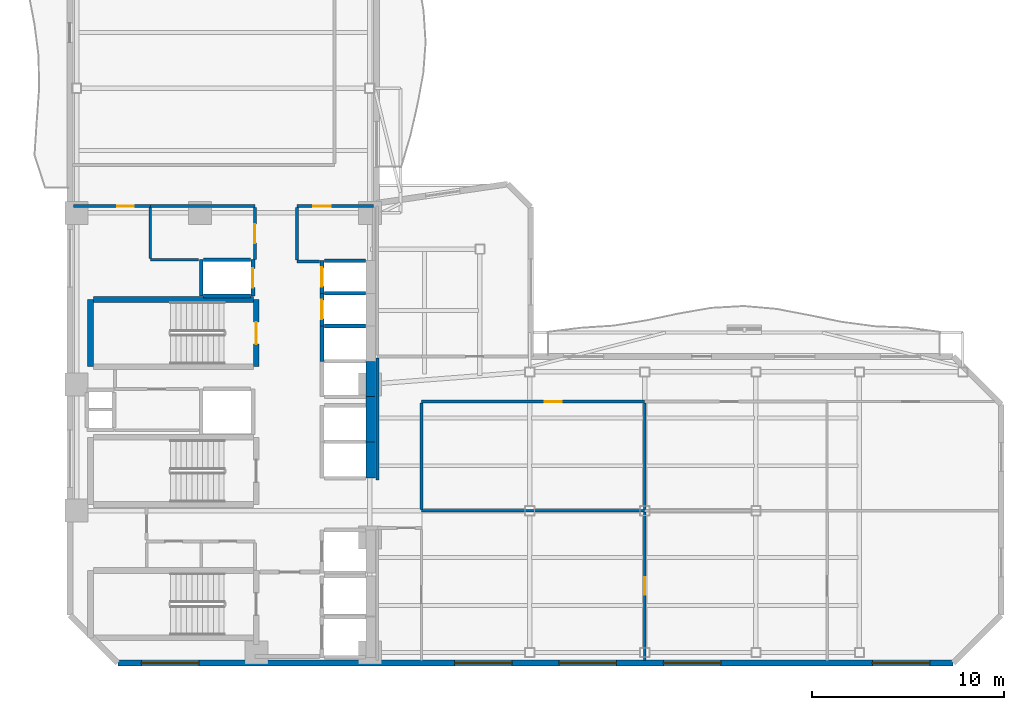
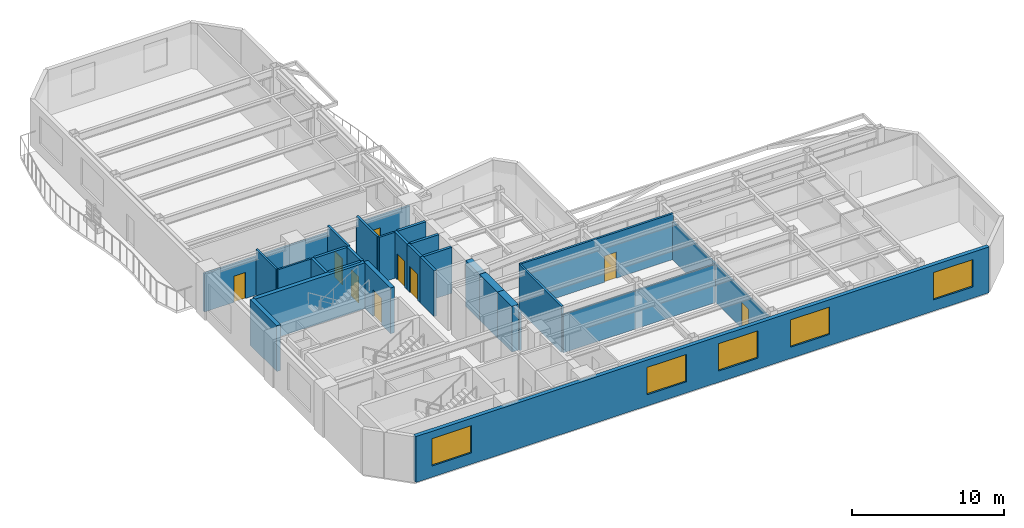
# One storey, part 4 of 9: 31 walls, 9 doors, 5 windows, 14 openings.
"""IFC4 building model written with IfcOpenShell, lengths in metres."""

import ifcopenshell
import ifcopenshell.guid

model = None  # the IFC model being written
_history = None  # IfcOwnerHistory: only IFC2X3 demands one
_inside = {}  # id of a spatial element -> (the spatial element, [elements in it])
_under = {}  # id of a project, library or spatial element -> (it, [spatial elements below it])
_declared = {}  # id of a project -> (the project, [libraries it declares])
_typed = {}  # id of a type object -> (the type object, [elements of that type])
_made_of = {}  # id of a material, layer set ... -> (it, [elements and type objects made of it])


def new_model(schema):
    """Start an empty IFC model of exactly this schema.

    Asked for "IFC4X3", IfcOpenShell would pick the latest addendum, in which some entities
    have other attributes; the version numbers below select the first issue.
    IFC2X3 requires an IfcOwnerHistory on every rooted entity: one is made here for all.
    """
    global model, _history
    if schema == "IFC4X3":
        model = ifcopenshell.file(schema_version=(4, 3, 0, 0))
    else:
        model = ifcopenshell.file(schema=schema)
    _inside.clear()
    _under.clear()
    _declared.clear()
    _typed.clear()
    _made_of.clear()
    _history = None
    if model.schema == "IFC2X3":
        org = make("IfcOrganization", Name="unknown")
        user = make(
            "IfcPersonAndOrganization",
            ThePerson=make("IfcPerson", FamilyName="unknown"),
            TheOrganization=org,
        )
        app = make(
            "IfcApplication",
            ApplicationDeveloper=org,
            Version="unknown",
            ApplicationFullName="unknown",
            ApplicationIdentifier="unknown",
        )
        _history = make(
            "IfcOwnerHistory",
            OwningUser=user,
            OwningApplication=app,
            ChangeAction="ADDED",
            CreationDate=0,
        )
    return model


def make(cls, **values):
    """One entity of the class cls with the attributes given. An attribute that is None is left unset."""
    return model.create_entity(
        cls, **{name: value for name, value in values.items() if value is not None}
    )


def rooted(cls, **values):
    """An entity with a GlobalId (a new one), such as an element, a storey or a relation."""
    return make(cls, GlobalId=ifcopenshell.guid.new(), OwnerHistory=_history, **values)


def si_unit(unit_type, name, prefix=None):
    """IfcSIUnit, for example si_unit("LENGTHUNIT", "METRE", prefix="MILLI")."""
    return make("IfcSIUnit", UnitType=unit_type, Prefix=prefix, Name=name)


def assignment(units):
    """IfcUnitAssignment: the units of a project."""
    return None if units is None else make("IfcUnitAssignment", Units=units)


def point(xyz):
    """IfcCartesianPoint."""
    return None if xyz is None else make("IfcCartesianPoint", Coordinates=xyz)


def direction(xyz):
    """IfcDirection."""
    return None if xyz is None else make("IfcDirection", DirectionRatios=xyz)


def frame(location, z_axis=None, x_axis=None):
    """IfcAxis2Placement3D, a coordinate frame: its origin and axes. An axis left out is left unset."""
    return make(
        "IfcAxis2Placement3D",
        Location=point(location),
        Axis=direction(z_axis),
        RefDirection=direction(x_axis),
    )


def frame_2d(location, x_axis=None):
    """IfcAxis2Placement2D, a coordinate frame in the plane: its origin and x axis."""
    return make(
        "IfcAxis2Placement2D", Location=point(location), RefDirection=direction(x_axis)
    )


def origin():
    """The frame at (0, 0, 0) with its axes left unset."""
    return frame((0.0, 0.0, 0.0))


def place(relative_to, where):
    """IfcLocalPlacement: puts the frame where relative to a parent placement (None: the world)."""
    return make(
        "IfcLocalPlacement", PlacementRelTo=relative_to, RelativePlacement=where
    )


def context(
    kind, dimensions, precision=None, world=None, true_north=None, identifier=None
):
    """IfcGeometricRepresentationContext, for example the 3D "Model" context."""
    return make(
        "IfcGeometricRepresentationContext",
        ContextIdentifier=identifier,
        ContextType=kind,
        CoordinateSpaceDimension=dimensions,
        Precision=precision,
        WorldCoordinateSystem=world,
        TrueNorth=true_north,
    )


def subcontext(parent, identifier, kind, view, scale=None):
    """IfcGeometricRepresentationSubContext, for example "Body" below "Model"."""
    return make(
        "IfcGeometricRepresentationSubContext",
        ContextIdentifier=identifier,
        ContextType=kind,
        ParentContext=parent,
        TargetScale=scale,
        TargetView=view,
    )


def project(units=None, contexts=None):
    """IfcProject with its units and contexts."""
    return rooted(
        "IfcProject",
        Name="project",
        RepresentationContexts=contexts,
        UnitsInContext=assignment(units),
    )


def spatial(cls, under=None, at=None, **own):
    """A site, building, storey or space (cls), placed at a placement, below another one or the project."""
    s = rooted(cls, ObjectPlacement=at, **own)
    if under is not None:
        _under.setdefault(under.id(), (under, []))[1].append(s)
    return s


def profile(cls, at=None, kind="AREA", **sizes):
    """A parametric profile (cls). Its sizes go by their IFC names, for example OverallWidth=200.0."""
    return make(cls, ProfileType=kind, Position=at, **sizes)


def rectangle(**sizes):
    """IfcRectangleProfileDef."""
    return profile("IfcRectangleProfileDef", **sizes)


def extrude(swept, where, along, depth):
    """IfcExtrudedAreaSolid: the profile swept, set in the frame where, extruded along a direction by depth."""
    return make(
        "IfcExtrudedAreaSolid",
        SweptArea=swept,
        Position=where,
        ExtrudedDirection=direction(along),
        Depth=depth,
    )


def shape(context_of_items, identifier, shape_type, items):
    """IfcShapeRepresentation: the items that make up one representation, for example the "Body"."""
    return make(
        "IfcShapeRepresentation",
        ContextOfItems=context_of_items,
        RepresentationIdentifier=identifier,
        RepresentationType=shape_type,
        Items=items,
    )


def material(Name=None, Category=None):
    """IfcMaterial."""
    return make("IfcMaterial", Name=Name, Category=Category)


def layer(
    of_material, thickness, ventilated=None, Name=None, Category=None, Priority=None
):
    """IfcMaterialLayer: one layer of a wall or slab, of a material (None: an air gap)."""
    return make(
        "IfcMaterialLayer",
        Material=of_material,
        LayerThickness=thickness,
        IsVentilated=ventilated,
        Name=Name,
        Category=Category,
        Priority=Priority,
    )


def layer_set(layers, Name=None):
    """IfcMaterialLayerSet."""
    return make("IfcMaterialLayerSet", MaterialLayers=layers, LayerSetName=Name)


def made_of(thing, what):
    """Note that an element or type object is made of a material, layer set ...; save() writes the relation."""
    if what is not None:
        _made_of.setdefault(what.id(), (what, []))[1].append(thing)
    return thing


def type_object(cls, material=None, **own):
    """A type object (cls), such as IfcWallType, which elements share."""
    return made_of(rooted(cls, **own), material)


def element(
    cls,
    number,
    at=None,
    inside=None,
    cuts=None,
    type_object=None,
    material=None,
    context=None,
    identifier="Body",
    shape_type=None,
    held_by="IfcProductDefinitionShape",
    body=None,
    shapes=None,
    **own,
):
    """One element of the class cls, such as IfcWall. Its Tag is "e" and its number.

    at: its placement. inside: the storey or other place that contains it. cuts: it is an
    opening in that element (IfcRelVoidsElement). A single representation is given by context,
    identifier, shape_type and body (its items); several are given by shapes. held_by: the class
    of the entity that holds the representations. save() writes the other relations.
    """
    e = rooted(cls, Tag="e%d" % number, ObjectPlacement=at, **own)
    if body is not None:
        shapes = [shape(context, identifier, shape_type, body)]
    if shapes is not None:
        e.Representation = make(held_by, Representations=shapes)
    if inside is not None:
        _inside.setdefault(inside.id(), (inside, []))[1].append(e)
    if cuts is not None:
        rooted(
            "IfcRelVoidsElement", RelatingBuildingElement=cuts, RelatedOpeningElement=e
        )
    if type_object is not None:
        _typed.setdefault(type_object.id(), (type_object, []))[1].append(e)
    return made_of(e, material)


def fill(opening, filler):
    """IfcRelFillsElement: the door or window that sits in an opening."""
    return rooted(
        "IfcRelFillsElement",
        RelatingOpeningElement=opening,
        RelatedBuildingElement=filler,
    )


def aggregate(whole, parts):
    """IfcRelAggregates: a whole, such as a stair, and the parts it consists of."""
    return rooted("IfcRelAggregates", RelatingObject=whole, RelatedObjects=parts)


def save(model, path):
    """Write the relations noted so far, then the file.

    IfcRelAggregates (storeys below a building ...), IfcRelContainedInSpatialStructure (elements
    in a storey), IfcRelDefinesByType, IfcRelAssociatesMaterial and IfcRelDeclares: one each for
    every whole, place, type object, material and project.
    """
    for whole, parts in _under.values():
        aggregate(whole, parts)
    for where, things in _inside.values():
        rooted(
            "IfcRelContainedInSpatialStructure",
            RelatedElements=things,
            RelatingStructure=where,
        )
    for kind, things in _typed.values():
        rooted("IfcRelDefinesByType", RelatedObjects=things, RelatingType=kind)
    for what, things in _made_of.values():
        rooted("IfcRelAssociatesMaterial", RelatedObjects=things, RelatingMaterial=what)
    for by, libraries in _declared.values():
        rooted("IfcRelDeclares", RelatingContext=by, RelatedDefinitions=libraries)
    model.write(path)


model = new_model("IFC4")

# Units and contexts
model_context = context("Model", 3, precision=1e-05, world=origin(), true_north=direction((0.0, 1.0)))
body_context = subcontext(model_context, "Body", "Model", "MODEL_VIEW")
ifc_project = project(units=[si_unit("LENGTHUNIT", "METRE"), si_unit("AREAUNIT", "SQUARE_METRE"), si_unit("VOLUMEUNIT", "CUBIC_METRE"), si_unit("PLANEANGLEUNIT", "RADIAN"), si_unit("MASSUNIT", "GRAM", prefix="KILO")], contexts=[model_context])

# Site, building, storey
site_placement = place(None, origin())
site = spatial("IfcSite", under=ifc_project, at=site_placement, CompositionType="ELEMENT")
building_placement = place(site_placement, origin())
building = spatial("IfcBuilding", under=site, at=building_placement, Name="Mawjaban Terraces University", CompositionType="ELEMENT")
storey_placement = place(building_placement, frame((0.0, 0.0, 146.300048828125)))
storey = spatial("IfcBuildingStorey", under=building, at=storey_placement, Name="L35", CompositionType="ELEMENT", Elevation=146.300048828125)

# Walls
ifc_material_1 = material(Name="Concrete C60/75", Category="concrete")
ifc_layer_1 = layer(ifc_material_1, 0.5)
ifc_layer_set_1 = layer_set([ifc_layer_1], Name="Concrete C60/75")
wall_type_1 = type_object("IfcWallType", Name="CoreShearWall_500", PredefinedType="SHEAR", material=ifc_layer_set_1)
wall_1_placement = place(storey_placement, frame((37.699951171875, 9.64990234375, 0.0), z_axis=(0.0, 0.0, 1.0), x_axis=(0.0, 1.0, 0.0)))
element("IfcWall", 1, at=wall_1_placement, inside=storey, type_object=wall_type_1, Name="L35 Lift PL-H1 Hoistway Wall East", PredefinedType="SHEAR", context=body_context, shape_type="SweptSolid", body=[
    extrude(rectangle(XDim=1.900146484375, YDim=0.5, at=frame_2d((0.9501953125, 0.0))), origin(), (0.0, 0.0, 1.0), 3.68994140625),
])
wall_2_placement = place(storey_placement, frame((37.699951171875, 11.550048828125, 0.0), z_axis=(0.0, 0.0, 1.0), x_axis=(0.0, 1.0, 0.0)))
element("IfcWall", 2, at=wall_2_placement, inside=storey, type_object=wall_type_1, Name="L35 Lift PL-H2 Hoistway Wall East", PredefinedType="SHEAR", context=body_context, shape_type="SweptSolid", body=[
    extrude(rectangle(XDim=2.349853515625, YDim=0.5, at=frame_2d((1.1748046875, 0.0))), origin(), (0.0, 0.0, 1.0), 3.68994140625),
])
wall_3_placement = place(storey_placement, frame((37.699951171875, 13.89990234375, 0.0), z_axis=(0.0, 0.0, 1.0), x_axis=(0.0, 1.0, 0.0)))
element("IfcWall", 3, at=wall_3_placement, inside=storey, type_object=wall_type_1, Name="L35 Lift OL-1 Hoistway Wall East", PredefinedType="SHEAR", context=body_context, shape_type="SweptSolid", body=[
    extrude(rectangle(XDim=1.85009765625, YDim=0.5, at=frame_2d((0.925048828125, 0.0))), origin(), (0.0, 0.0, 1.0), 3.68994140625),
])

# Wall, opening, door
ifc_material_2 = material(Name="Fire-rated gypsum board on steel stud", Category="steel")
ifc_layer_2 = layer(ifc_material_2, 0.159912109375)
ifc_layer_set_2 = layer_set([ifc_layer_2], Name="Fire-rated gypsum board on steel stud")
wall_type_2 = type_object("IfcWallType", Name="CorridorPartition_160", PredefinedType="PARTITIONING", material=ifc_layer_set_2)
wall_4_placement = place(storey_placement, frame((26.199951171875, 23.85009765625, 0.0), z_axis=(0.0, 0.0, 1.0), x_axis=(-1.0, 0.0, 0.0)))
wall_4 = element("IfcWall", 4, at=wall_4_placement, inside=storey, type_object=wall_type_2, Name="L35 Female Toilet Partition 5", PredefinedType="PARTITIONING", context=body_context, shape_type="SweptSolid", body=[
    extrude(rectangle(XDim=4.0, YDim=0.159912109375, at=frame_2d((2.0, 0.0))), origin(), (0.0, 0.0, 1.0), 3.072998046875),
])
opening_1_placement = place(wall_4_placement, frame((0.860107421875, 0.0, 0.0)))
opening_1 = element("IfcOpeningElement", 5, at=opening_1_placement, cuts=wall_4, Name="Opening ID-088", PredefinedType="OPENING", context=body_context, shape_type="SweptSolid", body=[
    extrude(rectangle(XDim=0.8798828125, YDim=2.10009765625, at=frame_2d((0.43994140625, 1.050048828125))), frame((0.0, 0.08984375, 0.0), z_axis=(0.0, -1.0, 0.0), x_axis=(1.0, 0.0, 0.0)), (0.0, 0.0, 1.0), 0.179931640625),
])
ifc_material_3 = material(Name="Powder-coated steel frame and solid acoustic timber leaf", Category="steel")
door_type_1 = type_object("IfcDoorType", Name="ToiletDoor_880x2100", OperationType="NOTDEFINED", PredefinedType="DOOR", material=ifc_material_3)
door_1_placement = place(opening_1_placement, origin())
door_1 = element("IfcDoor", 6, at=door_1_placement, inside=storey, type_object=door_type_1, Name="L35 Female Toilet Door", OperationType="SINGLE_SWING_LEFT", OverallHeight=2.10009765625, OverallWidth=0.8798828125, PredefinedType="DOOR", context=body_context, shape_type="SweptSolid", body=[
    extrude(rectangle(XDim=0.8798828125, YDim=2.10009765625, at=frame_2d((0.43994140625, 1.050048828125))), frame((0.0, 0.02490234375, 0.0), z_axis=(0.0, -1.0, 0.0), x_axis=(1.0, 0.0, 0.0)), (0.0, 0.0, 1.0), 0.050048828125),
])
fill(opening_1, door_1)

# Walls
wall_5_placement = place(storey_placement, frame((31.64990234375, 23.85009765625, 0.0), z_axis=(0.0, 0.0, 1.0), x_axis=(-1.0, 0.0, 0.0)))
element("IfcWall", 7, at=wall_5_placement, inside=storey, type_object=wall_type_2, Name="L35 Academic Tutorial Alcove Partition 8", PredefinedType="PARTITIONING", context=body_context, shape_type="SweptSolid", body=[
    extrude(rectangle(XDim=5.449951171875, YDim=0.159912109375, at=frame_2d((2.72509765625, 0.0))), origin(), (0.0, 0.0, 1.0), 3.072998046875),
])
wall_6_placement = place(storey_placement, frame((35.02001953125, 20.949951171875, 0.0), z_axis=(0.0, 0.0, 1.0), x_axis=(-1.0, 0.0, 0.0)))
element("IfcWall", 8, at=wall_6_placement, inside=storey, type_object=wall_type_2, Name="L35 Passenger Lift Lobby Partition 10", PredefinedType="PARTITIONING", context=body_context, shape_type="SweptSolid", body=[
    extrude(rectangle(XDim=1.169921875, YDim=0.159912109375, at=frame_2d((0.5849609375, 0.0))), origin(), (0.0, 0.0, 1.0), 3.68994140625),
])

# Wall, opening, door
wall_7_placement = place(storey_placement, frame((37.85009765625, 23.85009765625, 0.0), z_axis=(0.0, 0.0, 1.0), x_axis=(-1.0, 0.0, 0.0)))
wall_7 = element("IfcWall", 9, at=wall_7_placement, inside=storey, type_object=wall_type_2, Name="L35 Departmental Resource Seminar Room Partition 12", PredefinedType="PARTITIONING", context=body_context, shape_type="SweptSolid", body=[
    extrude(rectangle(XDim=4.0, YDim=0.159912109375, at=frame_2d((2.0, 0.0))), origin(), (0.0, 0.0, 1.0), 3.072998046875),
])
opening_2_placement = place(wall_7_placement, frame((2.25, 0.0, 0.0)))
opening_2 = element("IfcOpeningElement", 10, at=opening_2_placement, cuts=wall_7, Name="Opening ID-090", PredefinedType="OPENING", context=body_context, shape_type="SweptSolid", body=[
    extrude(rectangle(XDim=0.89990234375, YDim=2.10009765625, at=frame_2d((0.449951171875, 1.050048828125))), frame((0.0, 0.08984375, 0.0), z_axis=(0.0, -1.0, 0.0), x_axis=(1.0, 0.0, 0.0)), (0.0, 0.0, 1.0), 0.179931640625),
])
door_type_2 = type_object("IfcDoorType", Name="OfficeDoor_900x2100", OperationType="NOTDEFINED", PredefinedType="DOOR", material=ifc_material_3)
door_2_placement = place(opening_2_placement, origin())
door_2 = element("IfcDoor", 11, at=door_2_placement, inside=storey, type_object=door_type_2, Name="L35 Departmental Resource Seminar Room Door", OperationType="SINGLE_SWING_LEFT", OverallHeight=2.10009765625, OverallWidth=0.89990234375, PredefinedType="DOOR", context=body_context, shape_type="SweptSolid", body=[
    extrude(rectangle(XDim=0.89990234375, YDim=2.10009765625, at=frame_2d((0.449951171875, 1.050048828125))), frame((0.0, 0.02490234375, 0.0), z_axis=(0.0, -1.0, 0.0), x_axis=(1.0, 0.0, 0.0)), (0.0, 0.0, 1.0), 0.050048828125),
])
fill(opening_2, door_2)

wall_8_placement = place(storey_placement, frame((40.35009765625, 13.64990234375, 0.0), z_axis=(0.0, 0.0, 1.0), x_axis=(1.0, 0.0, 0.0)))
wall_8 = element("IfcWall", 12, at=wall_8_placement, inside=storey, type_object=wall_type_2, Name="L35 Inner Terrace Gallery Corridor East Partition 14", PredefinedType="PARTITIONING", context=body_context, shape_type="SweptSolid", body=[
    extrude(rectangle(XDim=11.64990234375, YDim=0.159912109375, at=frame_2d((5.824951171875, 0.0))), origin(), (0.0, 0.0, 1.0), 3.68994140625),
])
opening_3_placement = place(wall_8_placement, frame((6.425048828125, 0.0, 0.0)))
opening_3 = element("IfcOpeningElement", 13, at=opening_3_placement, cuts=wall_8, Name="Opening ID-090", PredefinedType="OPENING", context=body_context, shape_type="SweptSolid", body=[
    extrude(rectangle(XDim=0.89990234375, YDim=2.10009765625, at=frame_2d((0.449951171875, 1.050048828125))), frame((0.0, 0.08984375, 0.0), z_axis=(0.0, -1.0, 0.0), x_axis=(1.0, 0.0, 0.0)), (0.0, 0.0, 1.0), 0.179931640625),
])
door_3_placement = place(opening_3_placement, origin())
door_3 = element("IfcDoor", 14, at=door_3_placement, inside=storey, type_object=door_type_2, Name="L35 Collaborative Study Room 3 Door", OperationType="SINGLE_SWING_RIGHT", OverallHeight=2.10009765625, OverallWidth=0.89990234375, PredefinedType="DOOR", context=body_context, shape_type="SweptSolid", body=[
    extrude(rectangle(XDim=0.89990234375, YDim=2.10009765625, at=frame_2d((0.449951171875, 1.050048828125))), frame((0.0, 0.02490234375, 0.0), z_axis=(0.0, -1.0, 0.0), x_axis=(1.0, 0.0, 0.0)), (0.0, 0.0, 1.0), 0.050048828125),
])
fill(opening_3, door_3)

wall_9_placement = place(storey_placement, frame((31.64990234375, 23.77490234375, 0.0), z_axis=(0.0, 0.0, 1.0), x_axis=(0.0, -1.0, 0.0)))
wall_9 = element("IfcWall", 15, at=wall_9_placement, inside=storey, type_object=wall_type_2, Name="L35 Core North Lift Lobby Partition 28", PredefinedType="PARTITIONING", context=body_context, shape_type="SweptSolid", body=[
    extrude(rectangle(XDim=2.724853515625, YDim=0.159912109375, at=frame_2d((1.3623046875, 0.0))), origin(), (0.0, 0.0, 1.0), 3.68994140625),
])
opening_4_placement = place(wall_9_placement, frame((0.862060546875, 0.0, 0.0)))
opening_4 = element("IfcOpeningElement", 16, at=opening_4_placement, cuts=wall_9, Name="Opening ID-100", PredefinedType="OPENING", context=body_context, shape_type="SweptSolid", body=[
    extrude(rectangle(XDim=1.0, YDim=2.10009765625, at=frame_2d((0.5, 1.050048828125))), frame((0.0, 0.08984375, 0.0), z_axis=(0.0, -1.0, 0.0), x_axis=(1.0, 0.0, 0.0)), (0.0, 0.0, 1.0), 0.179931640625),
])
door_type_3 = type_object("IfcDoorType", Name="ClassroomDoor_1000x2100", OperationType="NOTDEFINED", PredefinedType="DOOR", material=ifc_material_3)
door_4_placement = place(opening_4_placement, origin())
door_4 = element("IfcDoor", 17, at=door_4_placement, inside=storey, type_object=door_type_3, Name="L35 Academic Tutorial Alcove Door", OperationType="SINGLE_SWING_RIGHT", OverallHeight=2.10009765625, OverallWidth=1.0, PredefinedType="DOOR", context=body_context, shape_type="SweptSolid", body=[
    extrude(rectangle(XDim=1.0, YDim=2.10009765625, at=frame_2d((0.5, 1.050048828125))), frame((0.0, 0.02490234375, 0.0), z_axis=(0.0, -1.0, 0.0), x_axis=(1.0, 0.0, 0.0)), (0.0, 0.0, 1.0), 0.050048828125),
])
fill(opening_4, door_4)

# Walls
wall_10_placement = place(storey_placement, frame((33.85009765625, 21.02490234375, 0.0), z_axis=(0.0, 0.0, 1.0), x_axis=(0.0, 1.0, 0.0)))
element("IfcWall", 18, at=wall_10_placement, inside=storey, type_object=wall_type_2, Name="L35 Core North Lift Lobby Partition 29", PredefinedType="PARTITIONING", context=body_context, shape_type="SweptSolid", body=[
    extrude(rectangle(XDim=2.75, YDim=0.159912109375, at=frame_2d((1.375, 0.0))), origin(), (0.0, 0.0, 1.0), 3.68994140625),
])
wall_11_placement = place(storey_placement, frame((38.050048828125, 15.925048828125, 0.0), z_axis=(0.0, 0.0, 1.0), x_axis=(0.0, -1.0, 0.0)))
element("IfcWall", 19, at=wall_11_placement, inside=storey, type_object=wall_type_2, Name="L35 Inner Gallery Link Corridor Partition 33", PredefinedType="PARTITIONING", context=body_context, shape_type="SweptSolid", body=[
    extrude(rectangle(XDim=6.375, YDim=0.159912109375, at=frame_2d((3.1875, 0.0))), origin(), (0.0, 0.0, 1.0), 3.072998046875),
])
wall_12_placement = place(storey_placement, frame((40.35009765625, 8.008056640625, 0.0), z_axis=(0.0, 0.0, 1.0), x_axis=(0.0, 1.0, 0.0)))
element("IfcWall", 20, at=wall_12_placement, inside=storey, type_object=wall_type_2, Name="L35 Inner Gallery Link Corridor Partition 36", PredefinedType="PARTITIONING", context=body_context, shape_type="SweptSolid", body=[
    extrude(rectangle(XDim=5.56689453125, YDim=0.159912109375, at=frame_2d((2.783447265625, 0.0))), origin(), (0.0, 0.0, 1.0), 3.68994140625),
])

# Wall, openings, windows
ifc_material_4 = material(Name="Insulated terracotta rainscreen on concrete backup C40/50", Category="masonry")
ifc_layer_3 = layer(ifc_material_4, 0.300048828125)
ifc_layer_set_3 = layer_set([ifc_layer_3], Name="Insulated terracotta rainscreen on concrete backup C40/50")
wall_type_3 = type_object("IfcWallType", Name="ExtTerracottaWall_300", PredefinedType="SOLIDWALL", material=ifc_layer_set_3)
wall_13_placement = place(storey_placement, frame((24.5, 0.0, 0.0), z_axis=(0.0, 0.0, 1.0), x_axis=(1.0, 0.0, 0.0)))
wall_13 = element("IfcWall", 21, at=wall_13_placement, inside=storey, type_object=wall_type_3, Name="L35 Exterior Terracotta Wall 1", PredefinedType="SOLIDWALL", context=body_context, shape_type="SweptSolid", body=[
    extrude(rectangle(XDim=43.60009765625, YDim=0.300048828125, at=frame_2d((21.800048828125, 0.0))), origin(), (0.0, 0.0, 1.0), 3.68994140625),
])
opening_5_placement = place(wall_13_placement, frame((1.22509765625, 0.0, 0.89990234375)))
opening_5 = element("IfcOpeningElement", 22, at=opening_5_placement, cuts=wall_13, Name="Opening W-12", PredefinedType="OPENING", context=body_context, shape_type="SweptSolid", body=[
    extrude(rectangle(XDim=3.0, YDim=2.199951171875, at=frame_2d((1.5, 1.10009765625))), frame((0.0, 0.159912109375, 0.0), z_axis=(0.0, -1.0, 0.0), x_axis=(1.0, 0.0, 0.0)), (0.0, 0.0, 1.0), 0.320068359375),
])
opening_6_placement = place(wall_13_placement, frame((17.574951171875, 0.0, 0.89990234375)))
opening_6 = element("IfcOpeningElement", 23, at=opening_6_placement, cuts=wall_13, Name="Opening W-12", PredefinedType="OPENING", context=body_context, shape_type="SweptSolid", body=[
    extrude(rectangle(XDim=3.0, YDim=2.199951171875, at=frame_2d((1.5, 1.10009765625))), frame((0.0, 0.159912109375, 0.0), z_axis=(0.0, -1.0, 0.0), x_axis=(1.0, 0.0, 0.0)), (0.0, 0.0, 1.0), 0.320068359375),
])
opening_7_placement = place(wall_13_placement, frame((23.02490234375, 0.0, 0.89990234375)))
opening_7 = element("IfcOpeningElement", 24, at=opening_7_placement, cuts=wall_13, Name="Opening W-12", PredefinedType="OPENING", context=body_context, shape_type="SweptSolid", body=[
    extrude(rectangle(XDim=3.0, YDim=2.199951171875, at=frame_2d((1.5, 1.10009765625))), frame((0.0, 0.159912109375, 0.0), z_axis=(0.0, -1.0, 0.0), x_axis=(1.0, 0.0, 0.0)), (0.0, 0.0, 1.0), 0.320068359375),
])
opening_8_placement = place(wall_13_placement, frame((28.47509765625, 0.0, 0.89990234375)))
opening_8 = element("IfcOpeningElement", 25, at=opening_8_placement, cuts=wall_13, Name="Opening W-12", PredefinedType="OPENING", context=body_context, shape_type="SweptSolid", body=[
    extrude(rectangle(XDim=3.0, YDim=2.199951171875, at=frame_2d((1.5, 1.10009765625))), frame((0.0, 0.159912109375, 0.0), z_axis=(0.0, -1.0, 0.0), x_axis=(1.0, 0.0, 0.0)), (0.0, 0.0, 1.0), 0.320068359375),
])
opening_9_placement = place(wall_13_placement, frame((39.375, 0.0, 0.89990234375)))
opening_9 = element("IfcOpeningElement", 26, at=opening_9_placement, cuts=wall_13, Name="Opening W-12", PredefinedType="OPENING", context=body_context, shape_type="SweptSolid", body=[
    extrude(rectangle(XDim=3.0, YDim=2.199951171875, at=frame_2d((1.5, 1.10009765625))), frame((0.0, 0.159912109375, 0.0), z_axis=(0.0, -1.0, 0.0), x_axis=(1.0, 0.0, 0.0)), (0.0, 0.0, 1.0), 0.320068359375),
])
ifc_material_5 = material(Name="Low-E solar-control double glazing in thermally broken aluminium frame", Category="aluminium")
window_type = type_object("IfcWindowType", Name="Win_3000x2200", PartitioningType="SINGLE_PANEL", PredefinedType="WINDOW", material=ifc_material_5)
window_1_placement = place(opening_5_placement, origin())
window_1 = element("IfcWindow", 27, at=window_1_placement, inside=storey, type_object=window_type, Name="L35 Facade Window 1.1", OverallHeight=2.199951171875, OverallWidth=3.0, PartitioningType="SINGLE_PANEL", PredefinedType="WINDOW", context=body_context, shape_type="SweptSolid", body=[
    extrude(rectangle(XDim=3.0, YDim=2.199951171875, at=frame_2d((1.5, 1.10009765625))), frame((0.0, 0.030029296875, 0.0), z_axis=(0.0, -1.0, 0.0), x_axis=(1.0, 0.0, 0.0)), (0.0, 0.0, 1.0), 0.06005859375),
])
fill(opening_5, window_1)
window_2_placement = place(opening_6_placement, origin())
window_2 = element("IfcWindow", 28, at=window_2_placement, inside=storey, type_object=window_type, Name="L35 Facade Window 1.4", OverallHeight=2.199951171875, OverallWidth=3.0, PartitioningType="SINGLE_PANEL", PredefinedType="WINDOW", context=body_context, shape_type="SweptSolid", body=[
    extrude(rectangle(XDim=3.0, YDim=2.199951171875, at=frame_2d((1.5, 1.10009765625))), frame((0.0, 0.030029296875, 0.0), z_axis=(0.0, -1.0, 0.0), x_axis=(1.0, 0.0, 0.0)), (0.0, 0.0, 1.0), 0.06005859375),
])
fill(opening_6, window_2)
window_3_placement = place(opening_7_placement, origin())
window_3 = element("IfcWindow", 29, at=window_3_placement, inside=storey, type_object=window_type, Name="L35 Facade Window 1.5", OverallHeight=2.199951171875, OverallWidth=3.0, PartitioningType="SINGLE_PANEL", PredefinedType="WINDOW", context=body_context, shape_type="SweptSolid", body=[
    extrude(rectangle(XDim=3.0, YDim=2.199951171875, at=frame_2d((1.5, 1.10009765625))), frame((0.0, 0.030029296875, 0.0), z_axis=(0.0, -1.0, 0.0), x_axis=(1.0, 0.0, 0.0)), (0.0, 0.0, 1.0), 0.06005859375),
])
fill(opening_7, window_3)
window_4_placement = place(opening_8_placement, origin())
window_4 = element("IfcWindow", 30, at=window_4_placement, inside=storey, type_object=window_type, Name="L35 Facade Window 1.6", OverallHeight=2.199951171875, OverallWidth=3.0, PartitioningType="SINGLE_PANEL", PredefinedType="WINDOW", context=body_context, shape_type="SweptSolid", body=[
    extrude(rectangle(XDim=3.0, YDim=2.199951171875, at=frame_2d((1.5, 1.10009765625))), frame((0.0, 0.030029296875, 0.0), z_axis=(0.0, -1.0, 0.0), x_axis=(1.0, 0.0, 0.0)), (0.0, 0.0, 1.0), 0.06005859375),
])
fill(opening_8, window_4)
window_5_placement = place(opening_9_placement, origin())
window_5 = element("IfcWindow", 31, at=window_5_placement, inside=storey, type_object=window_type, Name="L35 Facade Window 1.8", OverallHeight=2.199951171875, OverallWidth=3.0, PartitioningType="SINGLE_PANEL", PredefinedType="WINDOW", context=body_context, shape_type="SweptSolid", body=[
    extrude(rectangle(XDim=3.0, YDim=2.199951171875, at=frame_2d((1.5, 1.10009765625))), frame((0.0, 0.030029296875, 0.0), z_axis=(0.0, -1.0, 0.0), x_axis=(1.0, 0.0, 0.0)), (0.0, 0.0, 1.0), 0.06005859375),
])
fill(opening_9, window_5)

# Walls
ifc_material_6 = material(Name="Concrete C40/50", Category="concrete")
ifc_layer_4 = layer(ifc_material_6, 0.199951171875)
ifc_layer_set_4 = layer_set([ifc_layer_4], Name="Concrete C40/50")
wall_type_4 = type_object("IfcWallType", Name="FireLobbyWall_200", PredefinedType="SOLIDWALL", material=ifc_layer_set_4)
wall_14_placement = place(storey_placement, frame((35.14990234375, 17.60009765625, 0.0), z_axis=(0.0, 0.0, 1.0), x_axis=(0.0, -1.0, 0.0)))
element("IfcWall", 32, at=wall_14_placement, inside=storey, type_object=wall_type_4, Name="L35 Lift OL-2 Hoistway Wall West", PredefinedType="SOLIDWALL", context=body_context, shape_type="SweptSolid", body=[
    extrude(rectangle(XDim=1.85009765625, YDim=0.199951171875, at=frame_2d((0.925048828125, 0.0))), origin(), (0.0, 0.0, 1.0), 3.68994140625),
])
wall_15_placement = place(storey_placement, frame((37.419921875, 17.60009765625, 0.0), z_axis=(0.0, 0.0, 1.0), x_axis=(-1.0, 0.0, 0.0)))
element("IfcWall", 33, at=wall_15_placement, inside=storey, type_object=wall_type_4, Name="L35 Lift OL-2 Hoistway Wall North", PredefinedType="SOLIDWALL", context=body_context, shape_type="SweptSolid", body=[
    extrude(rectangle(XDim=2.139892578125, YDim=0.199951171875, at=frame_2d((1.06982421875, 0.0))), origin(), (0.0, 0.0, 1.0), 3.68994140625),
])

# Wall, opening, door
wall_16_placement = place(storey_placement, frame((35.14990234375, 19.300048828125, 0.0), z_axis=(0.0, 0.0, 1.0), x_axis=(0.0, -1.0, 0.0)))
wall_16 = element("IfcWall", 34, at=wall_16_placement, inside=storey, type_object=wall_type_4, Name="L35 Lift PL-M1 Hoistway Wall West", PredefinedType="SOLIDWALL", context=body_context, shape_type="SweptSolid", body=[
    extrude(rectangle(XDim=1.699951171875, YDim=0.199951171875, at=frame_2d((0.85009765625, 0.0))), origin(), (0.0, 0.0, 1.0), 3.68994140625),
])
opening_10_placement = place(wall_16_placement, frame((0.35009765625, 0.0, 0.0)))
opening_10 = element("IfcOpeningElement", 35, at=opening_10_placement, cuts=wall_16, Name="Opening LD-PL-M1", PredefinedType="OPENING", context=body_context, shape_type="SweptSolid", body=[
    extrude(rectangle(XDim=1.0, YDim=2.10009765625, at=frame_2d((0.5, 1.050048828125))), frame((0.0, 0.10986328125, 0.0), z_axis=(0.0, -1.0, 0.0), x_axis=(1.0, 0.0, 0.0)), (0.0, 0.0, 1.0), 0.219970703125),
])
ifc_material_7 = material(Name="Powder-coated steel frame and fire-rated steel-faced leaf", Category="steel")
door_type_4 = type_object("IfcDoorType", Name="LiftLandingSliding_1000x2100", OperationType="NOTDEFINED", PredefinedType="DOOR", material=ifc_material_7)
door_5_placement = place(opening_10_placement, origin())
door_5 = element("IfcDoor", 36, at=door_5_placement, inside=storey, type_object=door_type_4, Name="L35 Lift PL-M1 Sliding Landing Door", OperationType="DOUBLE_DOOR_SLIDING", OverallHeight=2.10009765625, OverallWidth=1.0, PredefinedType="DOOR", context=body_context, shape_type="SweptSolid", body=[
    extrude(rectangle(XDim=1.0, YDim=2.10009765625, at=frame_2d((0.5, 1.050048828125))), frame((0.0, 0.02490234375, 0.0), z_axis=(0.0, -1.0, 0.0), x_axis=(1.0, 0.0, 0.0)), (0.0, 0.0, 1.0), 0.050048828125),
])
fill(opening_10, door_5)

# Wall
wall_17_placement = place(storey_placement, frame((37.419921875, 19.300048828125, 0.0), z_axis=(0.0, 0.0, 1.0), x_axis=(-1.0, 0.0, 0.0)))
element("IfcWall", 37, at=wall_17_placement, inside=storey, type_object=wall_type_4, Name="L35 Lift PL-M1 Hoistway Wall North", PredefinedType="SOLIDWALL", context=body_context, shape_type="SweptSolid", body=[
    extrude(rectangle(XDim=2.139892578125, YDim=0.199951171875, at=frame_2d((1.06982421875, 0.0))), origin(), (0.0, 0.0, 1.0), 3.68994140625),
])

# Wall, opening, door
wall_18_placement = place(storey_placement, frame((35.14990234375, 21.0, 0.0), z_axis=(0.0, 0.0, 1.0), x_axis=(0.0, -1.0, 0.0)))
wall_18 = element("IfcWall", 38, at=wall_18_placement, inside=storey, type_object=wall_type_4, Name="L35 Lift PL-M2 Hoistway Wall West", PredefinedType="SOLIDWALL", context=body_context, shape_type="SweptSolid", body=[
    extrude(rectangle(XDim=1.699951171875, YDim=0.199951171875, at=frame_2d((0.85009765625, 0.0))), origin(), (0.0, 0.0, 1.0), 3.68994140625),
])
opening_11_placement = place(wall_18_placement, frame((0.35009765625, 0.0, 0.0)))
opening_11 = element("IfcOpeningElement", 39, at=opening_11_placement, cuts=wall_18, Name="Opening LD-PL-M2", PredefinedType="OPENING", context=body_context, shape_type="SweptSolid", body=[
    extrude(rectangle(XDim=1.0, YDim=2.10009765625, at=frame_2d((0.5, 1.050048828125))), frame((0.0, 0.10986328125, 0.0), z_axis=(0.0, -1.0, 0.0), x_axis=(1.0, 0.0, 0.0)), (0.0, 0.0, 1.0), 0.219970703125),
])
door_6_placement = place(opening_11_placement, origin())
door_6 = element("IfcDoor", 40, at=door_6_placement, inside=storey, type_object=door_type_4, Name="L35 Lift PL-M2 Sliding Landing Door", OperationType="DOUBLE_DOOR_SLIDING", OverallHeight=2.10009765625, OverallWidth=1.0, PredefinedType="DOOR", context=body_context, shape_type="SweptSolid", body=[
    extrude(rectangle(XDim=1.0, YDim=2.10009765625, at=frame_2d((0.5, 1.050048828125))), frame((0.0, 0.02490234375, 0.0), z_axis=(0.0, -1.0, 0.0), x_axis=(1.0, 0.0, 0.0)), (0.0, 0.0, 1.0), 0.050048828125),
])
fill(opening_11, door_6)

# Walls
wall_19_placement = place(storey_placement, frame((37.419921875, 21.0, 0.0), z_axis=(0.0, 0.0, 1.0), x_axis=(-1.0, 0.0, 0.0)))
element("IfcWall", 41, at=wall_19_placement, inside=storey, type_object=wall_type_4, Name="L35 Lift PL-M2 Hoistway Wall North", PredefinedType="SOLIDWALL", context=body_context, shape_type="SweptSolid", body=[
    extrude(rectangle(XDim=2.139892578125, YDim=0.199951171875, at=frame_2d((1.06982421875, 0.0))), origin(), (0.0, 0.0, 1.0), 3.68994140625),
])
wall_20_placement = place(storey_placement, frame((28.85009765625, 21.050048828125, 0.0), z_axis=(0.0, 0.0, 1.0), x_axis=(0.0, -1.0, 0.0)))
element("IfcWall", 42, at=wall_20_placement, inside=storey, type_object=wall_type_4, Name="L35 Lift PL-M3 Hoistway Wall West", PredefinedType="SOLIDWALL", context=body_context, shape_type="SweptSolid", body=[
    extrude(rectangle(XDim=1.900146484375, YDim=0.199951171875, at=frame_2d((0.9501953125, 0.0))), origin(), (0.0, 0.0, 1.0), 3.68994140625),
])

# Wall, opening, door
wall_21_placement = place(storey_placement, frame((31.550048828125, 19.14990234375, 0.0), z_axis=(0.0, 0.0, 1.0), x_axis=(0.0, 1.0, 0.0)))
wall_21 = element("IfcWall", 43, at=wall_21_placement, inside=storey, type_object=wall_type_4, Name="L35 Lift PL-M3 Hoistway Wall East", PredefinedType="SOLIDWALL", context=body_context, shape_type="SweptSolid", body=[
    extrude(rectangle(XDim=1.900146484375, YDim=0.199951171875, at=frame_2d((0.9501953125, 0.0))), origin(), (0.0, 0.0, 1.0), 3.68994140625),
])
opening_12_placement = place(wall_21_placement, frame((0.449951171875, 0.0, 0.0)))
opening_12 = element("IfcOpeningElement", 44, at=opening_12_placement, cuts=wall_21, Name="Opening LD-PL-M3", PredefinedType="OPENING", context=body_context, shape_type="SweptSolid", body=[
    extrude(rectangle(XDim=1.0, YDim=2.10009765625, at=frame_2d((0.5, 1.050048828125))), frame((0.0, 0.10986328125, 0.0), z_axis=(0.0, -1.0, 0.0), x_axis=(1.0, 0.0, 0.0)), (0.0, 0.0, 1.0), 0.219970703125),
])
door_7_placement = place(opening_12_placement, origin())
door_7 = element("IfcDoor", 45, at=door_7_placement, inside=storey, type_object=door_type_4, Name="L35 Lift PL-M3 Sliding Landing Door", OperationType="DOUBLE_DOOR_SLIDING", OverallHeight=2.10009765625, OverallWidth=1.0, PredefinedType="DOOR", context=body_context, shape_type="SweptSolid", body=[
    extrude(rectangle(XDim=1.0, YDim=2.10009765625, at=frame_2d((0.5, 1.050048828125))), frame((0.0, 0.02490234375, 0.0), z_axis=(0.0, -1.0, 0.0), x_axis=(1.0, 0.0, 0.0)), (0.0, 0.0, 1.0), 0.050048828125),
])
fill(opening_12, door_7)

# Walls
for number, where, z_axis, x_axis, name in (
    (46, (28.97998046875, 19.14990234375, 0.0), (0.0, 0.0, 1.0), (1.0, 0.0, 0.0), "L35 Lift PL-M3 Hoistway Wall South"),
    (47, (31.419921875, 21.050048828125, 0.0), (0.0, 0.0, 1.0), (-1.0, 0.0, 0.0), "L35 Lift PL-M3 Hoistway Wall North"),
):
    element("IfcWall", number, at=place(storey_placement, frame(where, z_axis=z_axis, x_axis=x_axis)), inside=storey, type_object=wall_type_4, Name=name, PredefinedType="SOLIDWALL", context=body_context, shape_type="SweptSolid", body=[
        extrude(rectangle(XDim=2.43994140625, YDim=0.199951171875, at=frame_2d((1.219970703125, 0.0))), origin(), (0.0, 0.0, 1.0), 3.68994140625),
    ])
ifc_material_8 = material(Name="Gypsum plasterboard on steel stud", Category="steel")
ifc_layer_5 = layer(ifc_material_8, 0.125)
ifc_layer_set_5 = layer_set([ifc_layer_5], Name="Gypsum plasterboard on steel stud")
wall_type_5 = type_object("IfcWallType", Name="OfficePartition_125", PredefinedType="PARTITIONING", material=ifc_layer_set_5)
wall_22_placement = place(storey_placement, frame((52.0, 7.949951171875, 0.0), z_axis=(0.0, 0.0, 1.0), x_axis=(-1.0, 0.0, 0.0)))
element("IfcWall", 48, at=wall_22_placement, inside=storey, type_object=wall_type_5, Name="L35 Graduate Study Lounge 2 Partition 17", PredefinedType="PARTITIONING", context=body_context, shape_type="SweptSolid", body=[
    extrude(rectangle(XDim=11.64990234375, YDim=0.125, at=frame_2d((5.824951171875, 0.0))), origin(), (0.0, 0.0, 1.0), 3.072998046875),
])

# Wall, opening, door
wall_23_placement = place(storey_placement, frame((52.0, 0.14501953125, 0.0), z_axis=(0.0, 0.0, 1.0), x_axis=(0.0, 1.0, 0.0)))
wall_23 = element("IfcWall", 49, at=wall_23_placement, inside=storey, type_object=wall_type_5, Name="L35 Graduate Study Lounge 2 Partition 37", PredefinedType="PARTITIONING", context=body_context, shape_type="SweptSolid", body=[
    extrude(rectangle(XDim=7.748046875, YDim=0.125, at=frame_2d((3.8740234375, 0.0))), origin(), (0.0, 0.0, 1.0), 3.072998046875),
])
opening_13_placement = place(wall_23_placement, frame((3.424072265625, 0.0, 0.0)))
opening_13 = element("IfcOpeningElement", 50, at=opening_13_placement, cuts=wall_23, Name="Opening ID-090", PredefinedType="OPENING", context=body_context, shape_type="SweptSolid", body=[
    extrude(rectangle(XDim=0.89990234375, YDim=2.10009765625, at=frame_2d((0.449951171875, 1.050048828125))), frame((0.0, 0.072509765625, 0.0), z_axis=(0.0, -1.0, 0.0), x_axis=(1.0, 0.0, 0.0)), (0.0, 0.0, 1.0), 0.14501953125),
])
door_8_placement = place(opening_13_placement, origin())
door_8 = element("IfcDoor", 51, at=door_8_placement, inside=storey, type_object=door_type_2, Name="L35 Graduate Study Lounge 4 Door", OperationType="SINGLE_SWING_LEFT", OverallHeight=2.10009765625, OverallWidth=0.89990234375, PredefinedType="DOOR", context=body_context, shape_type="SweptSolid", body=[
    extrude(rectangle(XDim=0.89990234375, YDim=2.10009765625, at=frame_2d((0.449951171875, 1.050048828125))), frame((0.0, 0.02490234375, 0.0), z_axis=(0.0, -1.0, 0.0), x_axis=(1.0, 0.0, 0.0)), (0.0, 0.0, 1.0), 0.050048828125),
])
fill(opening_13, door_8)

# Walls
wall_24_placement = place(storey_placement, frame((52.0, 8.008056640625, 0.0), z_axis=(0.0, 0.0, 1.0), x_axis=(0.0, 1.0, 0.0)))
element("IfcWall", 52, at=wall_24_placement, inside=storey, type_object=wall_type_5, Name="L35 Collaborative Study Room 3 Partition 38", PredefinedType="PARTITIONING", context=body_context, shape_type="SweptSolid", body=[
    extrude(rectangle(XDim=5.56689453125, YDim=0.125, at=frame_2d((2.783447265625, 0.0))), origin(), (0.0, 0.0, 1.0), 3.072998046875),
])
ifc_layer_6 = layer(ifc_material_1, 0.300048828125)
ifc_layer_set_6 = layer_set([ifc_layer_6], Name="Concrete C60/75")
wall_type_6 = type_object("IfcWallType", Name="StairShaftWall_300", PredefinedType="SHEAR", material=ifc_layer_set_6)
wall_25_placement = place(storey_placement, frame((31.580078125, 18.97998046875, 0.0), z_axis=(0.0, 0.0, 1.0), x_axis=(-1.0, 0.0, 0.0)))
element("IfcWall", 53, at=wall_25_placement, inside=storey, type_object=wall_type_6, Name="L35 ST-2 Stair Shaft Wall 1", PredefinedType="SHEAR", context=body_context, shape_type="SweptSolid", body=[
    extrude(rectangle(XDim=8.360107421875, YDim=0.300048828125, at=frame_2d((4.18017578125, 0.0))), origin(), (0.0, 0.0, 1.0), 3.68994140625),
])
wall_26_placement = place(storey_placement, frame((23.070068359375, 18.97998046875, 0.0), z_axis=(0.0, 0.0, 1.0), x_axis=(0.0, -1.0, 0.0)))
element("IfcWall", 54, at=wall_26_placement, inside=storey, type_object=wall_type_6, Name="L35 ST-2 Stair Shaft Wall 2", PredefinedType="SHEAR", context=body_context, shape_type="SweptSolid", body=[
    extrude(rectangle(XDim=3.510009765625, YDim=0.300048828125, at=frame_2d((1.7548828125, 0.0))), origin(), (0.0, 0.0, 1.0), 3.68994140625),
])

# Wall, opening, door
wall_27_placement = place(storey_placement, frame((31.72998046875, 15.469970703125, 0.0), z_axis=(0.0, 0.0, 1.0), x_axis=(0.0, 1.0, 0.0)))
wall_27 = element("IfcWall", 55, at=wall_27_placement, inside=storey, type_object=wall_type_6, Name="L35 ST-2 Stair Shaft Wall 4", PredefinedType="SHEAR", context=body_context, shape_type="SweptSolid", body=[
    extrude(rectangle(XDim=3.510009765625, YDim=0.300048828125, at=frame_2d((1.7548828125, 0.0))), origin(), (0.0, 0.0, 1.0), 3.68994140625),
])
opening_14_placement = place(wall_27_placement, frame((1.179931640625, 0.0, 0.0)))
opening_14 = element("IfcOpeningElement", 56, at=opening_14_placement, cuts=wall_27, Name="Opening FD-115", PredefinedType="OPENING", context=body_context, shape_type="SweptSolid", body=[
    extrude(rectangle(XDim=1.14990234375, YDim=2.14990234375, at=frame_2d((0.574951171875, 1.074951171875))), frame((0.0, 0.159912109375, 0.0), z_axis=(0.0, -1.0, 0.0), x_axis=(1.0, 0.0, 0.0)), (0.0, 0.0, 1.0), 0.320068359375),
])
door_type_5 = type_object("IfcDoorType", Name="FireStairDoor_1150x2150", OperationType="NOTDEFINED", PredefinedType="DOOR", material=ifc_material_7)
door_9_placement = place(opening_14_placement, origin())
door_9 = element("IfcDoor", 57, at=door_9_placement, inside=storey, type_object=door_type_5, Name="L35 ST-2 Pressurised Stair Fire Door", OperationType="SINGLE_SWING_RIGHT", OverallHeight=2.14990234375, OverallWidth=1.14990234375, PredefinedType="DOOR", context=body_context, shape_type="SweptSolid", body=[
    extrude(rectangle(XDim=1.14990234375, YDim=2.14990234375, at=frame_2d((0.574951171875, 1.074951171875))), frame((0.0, 0.02490234375, 0.0), z_axis=(0.0, -1.0, 0.0), x_axis=(1.0, 0.0, 0.0)), (0.0, 0.0, 1.0), 0.050048828125),
])
fill(opening_14, door_9)

# Walls
ifc_material_9 = material(Name="Cement-board wet-room partition", Category="masonry")
ifc_layer_7 = layer(ifc_material_9, 0.135009765625)
ifc_layer_set_7 = layer_set([ifc_layer_7], Name="Cement-board wet-room partition")
wall_type_7 = type_object("IfcWallType", Name="WetRoomPartition_135", PredefinedType="PARTITIONING", material=ifc_layer_set_7)
wall_28_placement = place(storey_placement, frame((26.199951171875, 21.050048828125, 0.0), z_axis=(0.0, 0.0, 1.0), x_axis=(1.0, 0.0, 0.0)))
element("IfcWall", 58, at=wall_28_placement, inside=storey, type_object=wall_type_7, Name="L35 Academic Tutorial Alcove Partition 4", PredefinedType="PARTITIONING", context=body_context, shape_type="SweptSolid", body=[
    extrude(rectangle(XDim=2.52001953125, YDim=0.135009765625, at=frame_2d((1.260009765625, 0.0))), origin(), (0.0, 0.0, 1.0), 3.68994140625),
])
wall_29_placement = place(storey_placement, frame((26.199951171875, 23.77490234375, 0.0), z_axis=(0.0, 0.0, 1.0), x_axis=(0.0, -1.0, 0.0)))
element("IfcWall", 59, at=wall_29_placement, inside=storey, type_object=wall_type_7, Name="L35 Academic Tutorial Alcove Partition 25", PredefinedType="PARTITIONING", context=body_context, shape_type="SweptSolid", body=[
    extrude(rectangle(XDim=2.661865234375, YDim=0.135009765625, at=frame_2d((1.3310546875, 0.0))), origin(), (0.0, 0.0, 1.0), 3.68994140625),
])

save(model, "model.ifc")
